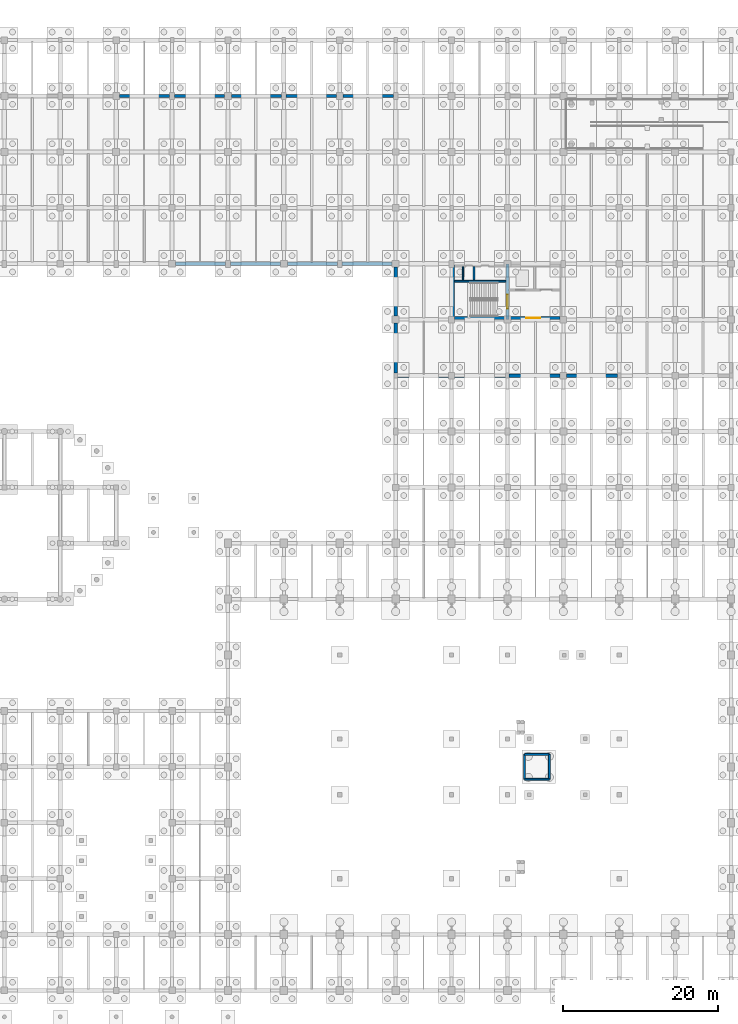
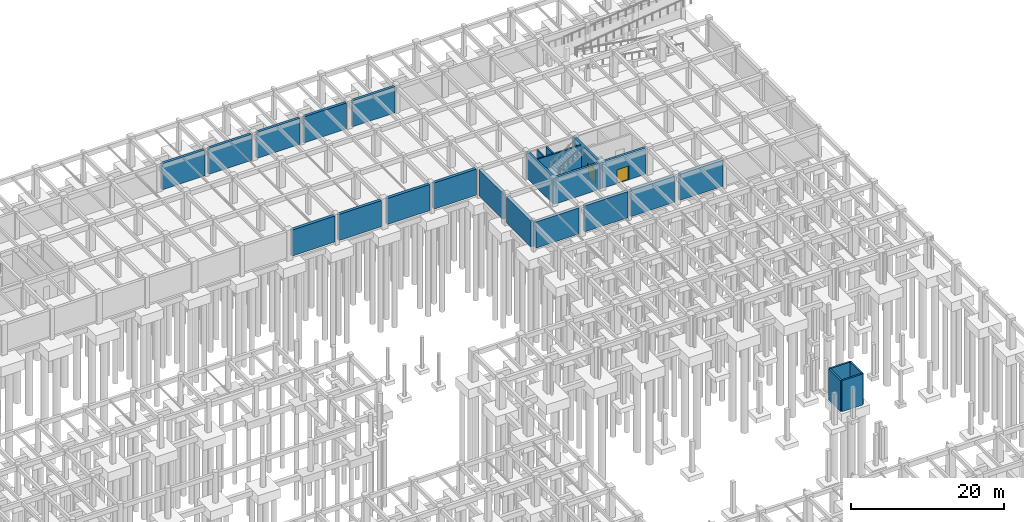
# One storey, part 41 of 47: 26 walls, 2 doors, 2 openings.
"""IFC4 building model written with IfcOpenShell, lengths in metres."""

from ifc_helpers import new_model, si_unit, direction, frame, frame_2d, origin, place, context, subcontext, project, spatial, rectangle, extrude, material, layer, layer_set, type_object, element, fill, save


model = new_model("IFC4")

# Units and contexts
model_context = context("Model", 3, precision=1e-05, world=origin(), true_north=direction((0.0, 1.0)))
body_context = subcontext(model_context, "Body", "Model", "MODEL_VIEW")
ifc_project = project(units=[si_unit("LENGTHUNIT", "METRE"), si_unit("AREAUNIT", "SQUARE_METRE"), si_unit("VOLUMEUNIT", "CUBIC_METRE"), si_unit("PLANEANGLEUNIT", "RADIAN"), si_unit("MASSUNIT", "GRAM", prefix="KILO")], contexts=[model_context])

# Site, building, storey
site_placement = place(None, origin())
site = spatial("IfcSite", under=ifc_project, at=site_placement, CompositionType="ELEMENT")
building_placement = place(site_placement, origin())
building = spatial("IfcBuilding", under=site, at=building_placement, Name="Thalmaran Polytechnic", CompositionType="ELEMENT")
storey_placement = place(building_placement, frame((0.0, 0.0, -4.5)))
storey = spatial("IfcBuildingStorey", under=building, at=storey_placement, Name="B1", CompositionType="ELEMENT", Elevation=-4.5)

# Walls
ifc_material_1 = material(Name="Autoclaved aerated masonry", Category="masonry")
ifc_layer_1 = layer(ifc_material_1, 0.22998046875, Name="Autoclaved aerated masonry")
ifc_layer_set_1 = layer_set([ifc_layer_1], Name="Autoclaved aerated masonry")
wall_type_1 = type_object("IfcWallType", Name="WL-IW02", PredefinedType="PARTITIONING", material=ifc_layer_set_1)
wall_1_placement = place(storey_placement, frame((139.699951171875, 91.5, 0.0), z_axis=(0.0, 0.0, 1.0), x_axis=(0.0, 1.0, 0.0)))
element("IfcWall", 1, at=wall_1_placement, inside=storey, type_object=wall_type_1, Name="Core C5 Riser Partition B1", PredefinedType="PARTITIONING", context=body_context, shape_type="SweptSolid", body=[
    extrude(rectangle(XDim=1.739990234375, YDim=0.22998046875, at=frame_2d((0.8701171875, 0.0))), origin(), (0.0, 0.0, 1.0), 4.18994140625),
])
ifc_layer_2 = layer(ifc_material_1, 0.179931640625, Name="Autoclaved aerated masonry")
ifc_layer_set_2 = layer_set([ifc_layer_2], Name="Autoclaved aerated masonry")
wall_type_2 = type_object("IfcWallType", Name="WL-IW04", PredefinedType="PARTITIONING", material=ifc_layer_set_2)
wall_2_placement = place(storey_placement, frame((138.280029296875, 91.47998046875, 0.0), z_axis=(0.0, 0.0, 1.0), x_axis=(0.0, 1.0, 0.0)))
element("IfcWall", 2, at=wall_2_placement, inside=storey, type_object=wall_type_2, Name="Core C5 Riser Shaft Enclosure Wall B1", PredefinedType="PARTITIONING", context=body_context, shape_type="SweptSolid", body=[
    extrude(rectangle(XDim=1.760009765625, YDim=0.179931640625, at=frame_2d((0.8798828125, 0.0))), origin(), (0.0, 0.0, 1.0), 4.18994140625),
])
ifc_material_2 = material(Name="Concrete C40/50", Category="concrete")
ifc_layer_3 = layer(ifc_material_2, 0.449951171875, Name="Concrete C40/50")
ifc_layer_set_3 = layer_set([ifc_layer_3], Name="Concrete C40/50")
wall_type_3 = type_object("IfcWallType", Name="WL-RW01", PredefinedType="SOLIDWALL", material=ifc_layer_set_3)
for number, where, z_axis, x_axis, name in (
    (3, (158.175048828125, 79.199951171875, 0.0), (0.0, 0.0, 1.0), (-1.0, 0.0, 0.0), "Basement Retaining Wall B1-057"),
    (4, (150.7900390625, 79.199951171875, 0.0), (0.0, 0.0, 1.0), (-1.0, 0.0, 0.0), "Basement Retaining Wall B1-058"),
    (5, (143.77490234375, 79.199951171875, 0.0), (0.0, 0.0, 1.0), (-1.0, 0.0, 0.0), "Basement Retaining Wall B1-059"),
    (6, (136.389892578125, 79.199951171875, 0.0), (0.0, 0.0, 1.0), (-1.0, 0.0, 0.0), "Basement Retaining Wall B1-060"),
):
    element("IfcWall", number, at=place(storey_placement, frame(where, z_axis=z_axis, x_axis=x_axis)), inside=storey, type_object=wall_type_3, Name=name, PredefinedType="SOLIDWALL", context=body_context, shape_type="SweptSolid", body=[
        extrude(rectangle(XDim=6.56494140625, YDim=0.449951171875, at=frame_2d((3.282470703125, 0.0))), origin(), (0.0, 0.0, 1.0), 4.169921875),
    ])
wall_3_placement = place(storey_placement, frame((129.60009765625, 79.52490234375, 0.0), z_axis=(0.0, 0.0, 1.0), x_axis=(0.0, 1.0, 0.0)))
element("IfcWall", 7, at=wall_3_placement, inside=storey, type_object=wall_type_3, Name="Basement Retaining Wall B1-061", PredefinedType="SOLIDWALL", context=body_context, shape_type="SweptSolid", body=[
    extrude(rectangle(XDim=6.425048828125, YDim=0.449951171875, at=frame_2d((3.21240234375, 0.0))), origin(), (0.0, 0.0, 1.0), 4.169921875),
])
wall_4_placement = place(storey_placement, frame((129.60009765625, 86.85009765625, 0.0), z_axis=(0.0, 0.0, 1.0), x_axis=(0.0, 1.0, 0.0)))
element("IfcWall", 8, at=wall_4_placement, inside=storey, type_object=wall_type_3, Name="Basement Retaining Wall B1-062", PredefinedType="SOLIDWALL", context=body_context, shape_type="SweptSolid", body=[
    extrude(rectangle(XDim=6.309814453125, YDim=0.449951171875, at=frame_2d((3.15478515625, 0.0))), origin(), (0.0, 0.0, 1.0), 4.169921875),
])
wall_5_placement = place(storey_placement, frame((129.159912109375, 93.60009765625, 0.0), z_axis=(0.0, 0.0, 1.0), x_axis=(-1.0, 0.0, 0.0)))
element("IfcWall", 9, at=wall_5_placement, inside=storey, type_object=wall_type_3, Name="Basement Retaining Wall B1-063", PredefinedType="SOLIDWALL", context=body_context, shape_type="SweptSolid", body=[
    extrude(rectangle(XDim=6.4599609375, YDim=0.449951171875, at=frame_2d((3.22998046875, 0.0))), origin(), (0.0, 0.0, 1.0), 4.169921875),
])
wall_6_placement = place(storey_placement, frame((122.10009765625, 93.60009765625, 0.0), z_axis=(0.0, 0.0, 1.0), x_axis=(-1.0, 0.0, 0.0)))
element("IfcWall", 10, at=wall_6_placement, inside=storey, type_object=wall_type_3, Name="Basement Retaining Wall B1-064", PredefinedType="SOLIDWALL", context=body_context, shape_type="SweptSolid", body=[
    extrude(rectangle(XDim=6.460205078125, YDim=0.449951171875, at=frame_2d((3.22998046875, 0.0))), origin(), (0.0, 0.0, 1.0), 4.169921875),
])
for number, where, z_axis, x_axis, name in (
    (11, (114.760009765625, 93.60009765625, 0.0), (0.0, 0.0, 1.0), (-1.0, 0.0, 0.0), "Basement Retaining Wall B1-065"),
    (12, (107.699951171875, 93.60009765625, 0.0), (0.0, 0.0, 1.0), (-1.0, 0.0, 0.0), "Basement Retaining Wall B1-066"),
):
    element("IfcWall", number, at=place(storey_placement, frame(where, z_axis=z_axis, x_axis=x_axis)), inside=storey, type_object=wall_type_3, Name=name, PredefinedType="SOLIDWALL", context=body_context, shape_type="SweptSolid", body=[
        extrude(rectangle(XDim=6.4599609375, YDim=0.449951171875, at=frame_2d((3.22998046875, 0.0))), origin(), (0.0, 0.0, 1.0), 4.169921875),
    ])
ifc_layer_4 = layer(ifc_material_2, 0.39990234375, Name="Concrete C40/50")
ifc_layer_set_4 = layer_set([ifc_layer_4], Name="Concrete C40/50")
wall_type_4 = type_object("IfcWallType", Name="WL-RW02", PredefinedType="SOLIDWALL", material=ifc_layer_set_4)
for number, where, z_axis, x_axis, name in (
    (13, (94.0400390625, 115.199951171875, 0.0), (0.0, 0.0, 1.0), (1.0, 0.0, 0.0), "Basement Retaining Wall B1-039"),
    (14, (101.10009765625, 115.199951171875, 0.0), (0.0, 0.0, 1.0), (1.0, 0.0, 0.0), "Basement Retaining Wall B1-040"),
    (15, (108.43994140625, 115.199951171875, 0.0), (0.0, 0.0, 1.0), (1.0, 0.0, 0.0), "Basement Retaining Wall B1-041"),
    (16, (115.5, 115.199951171875, 0.0), (0.0, 0.0, 1.0), (1.0, 0.0, 0.0), "Basement Retaining Wall B1-042"),
    (17, (122.840087890625, 115.199951171875, 0.0), (0.0, 0.0, 1.0), (1.0, 0.0, 0.0), "Basement Retaining Wall B1-043"),
):
    element("IfcWall", number, at=place(storey_placement, frame(where, z_axis=z_axis, x_axis=x_axis)), inside=storey, type_object=wall_type_4, Name=name, PredefinedType="SOLIDWALL", context=body_context, shape_type="SweptSolid", body=[
        extrude(rectangle(XDim=6.4599609375, YDim=0.39990234375, at=frame_2d((3.22998046875, 0.0))), origin(), (0.0, 0.0, 1.0), 4.169921875),
    ])
ifc_material_3 = material(Name="Concrete C50/60", Category="concrete")
ifc_layer_5 = layer(ifc_material_3, 0.3798828125, Name="Concrete C50/60")
ifc_layer_set_5 = layer_set([ifc_layer_5], Name="Concrete C50/60")
wall_type_5 = type_object("IfcWallType", Name="WL-SW02", PredefinedType="SHEAR", material=ifc_layer_set_5)
wall_7_placement = place(storey_placement, frame((137.2099609375, 86.6201171875, 0.0), z_axis=(0.0, 0.0, 1.0), x_axis=(1.0, 0.0, 0.0)))
element("IfcWall", 18, at=wall_7_placement, inside=storey, type_object=wall_type_5, Name="Core C5 South Shear Wall B1", PredefinedType="SHEAR", context=body_context, shape_type="SweptSolid", body=[
    extrude(rectangle(XDim=6.60009765625, YDim=0.3798828125, at=frame_2d((3.300048828125, 0.0))), origin(), (0.0, 0.0, 1.0), 4.18994140625),
])
wall_8_placement = place(storey_placement, frame((137.02001953125, 93.570068359375, 0.0), z_axis=(0.0, 0.0, 1.0), x_axis=(0.0, -1.0, 0.0)))
element("IfcWall", 19, at=wall_8_placement, inside=storey, type_object=wall_type_5, Name="Core C5 West Shear Wall B1", PredefinedType="SHEAR", context=body_context, shape_type="SweptSolid", body=[
    extrude(rectangle(XDim=7.14013671875, YDim=0.3798828125, at=frame_2d((3.570068359375, 0.0))), origin(), (0.0, 0.0, 1.0), 4.18994140625),
])
wall_9_placement = place(storey_placement, frame((137.2099609375, 91.360107421875, 0.0), z_axis=(0.0, 0.0, 1.0), x_axis=(1.0, 0.0, 0.0)))
element("IfcWall", 20, at=wall_9_placement, inside=storey, type_object=wall_type_5, Name="Core C5 Stair Partition B1", PredefinedType="SHEAR", context=body_context, shape_type="SweptSolid", body=[
    extrude(rectangle(XDim=6.60009765625, YDim=0.219970703125, at=frame_2d((3.300048828125, 0.0))), origin(), (0.0, 0.0, 1.0), 4.18994140625),
])

# Wall, opening, door
wall_10_placement = place(storey_placement, frame((144.0, 86.429931640625, 0.0), z_axis=(0.0, 0.0, 1.0), x_axis=(0.0, 1.0, 0.0)))
wall_10 = element("IfcWall", 21, at=wall_10_placement, inside=storey, type_object=wall_type_5, Name="Core C5 Stair-Lobby Dividing Shear Wall B1", PredefinedType="SHEAR", context=body_context, shape_type="SweptSolid", body=[
    extrude(rectangle(XDim=7.14013671875, YDim=0.3798828125, at=frame_2d((3.570068359375, 0.0))), origin(), (0.0, 0.0, 1.0), 4.18994140625),
])
opening_1_placement = place(wall_10_placement, frame((1.39990234375, 0.0, 0.0)))
opening_1 = element("IfcOpeningElement", 22, at=opening_1_placement, cuts=wall_10, Name="Opening SD-ST5-B1", PredefinedType="OPENING", context=body_context, shape_type="SweptSolid", body=[
    extrude(rectangle(XDim=1.800048828125, YDim=2.199951171875, at=frame_2d((0.89990234375, 1.10009765625))), frame((0.0, 0.199951171875, 0.0), z_axis=(0.0, -1.0, 0.0), x_axis=(1.0, 0.0, 0.0)), (0.0, 0.0, 1.0), 0.39990234375),
])
ifc_material_4 = material(Name="Powder-coated fire-rated steel", Category="steel")
door_type_1 = type_object("IfcDoorType", Name="DR-FD03", OperationType="NOTDEFINED", PredefinedType="DOOR", material=ifc_material_4)
door_1_placement = place(opening_1_placement, origin())
door_1 = element("IfcDoor", 23, at=door_1_placement, inside=storey, type_object=door_type_1, Name="Firefighting Lobby to Exit Stair Door ST5 B1", OperationType="SINGLE_SWING_LEFT", OverallHeight=2.199951171875, OverallWidth=1.800048828125, PredefinedType="DOOR", context=body_context, shape_type="SweptSolid", body=[
    extrude(rectangle(XDim=1.800048828125, YDim=2.199951171875, at=frame_2d((0.89990234375, 1.10009765625))), frame((0.0, 0.02490234375, 0.0), z_axis=(0.0, -1.0, 0.0), x_axis=(1.0, 0.0, 0.0)), (0.0, 0.0, 1.0), 0.050048828125),
])
fill(opening_1, door_1)

wall_11_placement = place(storey_placement, frame((144.18994140625, 86.6201171875, 0.0), z_axis=(0.0, 0.0, 1.0), x_axis=(1.0, 0.0, 0.0)))
wall_11 = element("IfcWall", 24, at=wall_11_placement, inside=storey, type_object=wall_type_5, Name="Core C5 Lobby South Wall B1", PredefinedType="SHEAR", context=body_context, shape_type="SweptSolid", body=[
    extrude(rectangle(XDim=6.60009765625, YDim=0.3798828125, at=frame_2d((3.300048828125, 0.0))), origin(), (0.0, 0.0, 1.0), 4.18994140625),
])
opening_2_placement = place(wall_11_placement, frame((2.219970703125, 0.0, 0.0)))
opening_2 = element("IfcOpeningElement", 25, at=opening_2_placement, cuts=wall_11, Name="Opening FD-C5-B1", PredefinedType="OPENING", context=body_context, shape_type="SweptSolid", body=[
    extrude(rectangle(XDim=1.800048828125, YDim=2.199951171875, at=frame_2d((0.89990234375, 1.10009765625))), frame((0.0, 0.199951171875, 0.0), z_axis=(0.0, -1.0, 0.0), x_axis=(1.0, 0.0, 0.0)), (0.0, 0.0, 1.0), 0.39990234375),
])
door_type_2 = type_object("IfcDoorType", Name="DR-FD01", OperationType="NOTDEFINED", PredefinedType="DOOR", material=ifc_material_4)
door_2_placement = place(opening_2_placement, origin())
door_2 = element("IfcDoor", 26, at=door_2_placement, inside=storey, type_object=door_type_2, Name="Firefighting Lift Lobby Entrance Door C5 B1", OperationType="DOUBLE_DOOR_SINGLE_SWING", OverallHeight=2.199951171875, OverallWidth=1.800048828125, PredefinedType="DOOR", context=body_context, shape_type="SweptSolid", body=[
    extrude(rectangle(XDim=1.800048828125, YDim=2.199951171875, at=frame_2d((0.89990234375, 1.10009765625))), frame((0.0, 0.02490234375, 0.0), z_axis=(0.0, -1.0, 0.0), x_axis=(1.0, 0.0, 0.0)), (0.0, 0.0, 1.0), 0.050048828125),
])
fill(opening_2, door_2)

# Walls
ifc_layer_6 = layer(ifc_material_3, 0.300048828125, Name="Concrete C50/60")
ifc_layer_set_6 = layer_set([ifc_layer_6], Name="Concrete C50/60")
wall_type_6 = type_object("IfcWallType", Name="WL-SW04", PredefinedType="SHEAR", material=ifc_layer_set_6)
for number, where, z_axis, x_axis, name in (
    (27, (146.199951171875, 27.199951171875, -0.449951171875), (0.0, 0.0, 1.0), (1.0, 0.0, 0.0), "Pod Lift Shaft Wall B1-S"),
    (28, (149.39990234375, 27.199951171875, -0.449951171875), (0.0, 0.0, 1.0), (0.0, 1.0, 0.0), "Pod Lift Shaft Wall B1-E"),
    (29, (149.39990234375, 30.39990234375, -0.449951171875), (0.0, 0.0, 1.0), (-1.0, 0.0, 0.0), "Pod Lift Shaft Wall B1-N"),
    (30, (146.199951171875, 30.39990234375, -0.449951171875), (0.0, 0.0, 1.0), (0.0, -1.0, 0.0), "Pod Lift Shaft Wall B1-W"),
):
    element("IfcWall", number, at=place(storey_placement, frame(where, z_axis=z_axis, x_axis=x_axis)), inside=storey, type_object=wall_type_6, Name=name, PredefinedType="SHEAR", context=body_context, shape_type="SweptSolid", body=[
        extrude(rectangle(XDim=3.199951171875, YDim=0.25, at=frame_2d((1.60009765625, 0.0))), origin(), (0.0, 0.0, 1.0), 4.949951171875),
    ])

save(model, "model.ifc")
